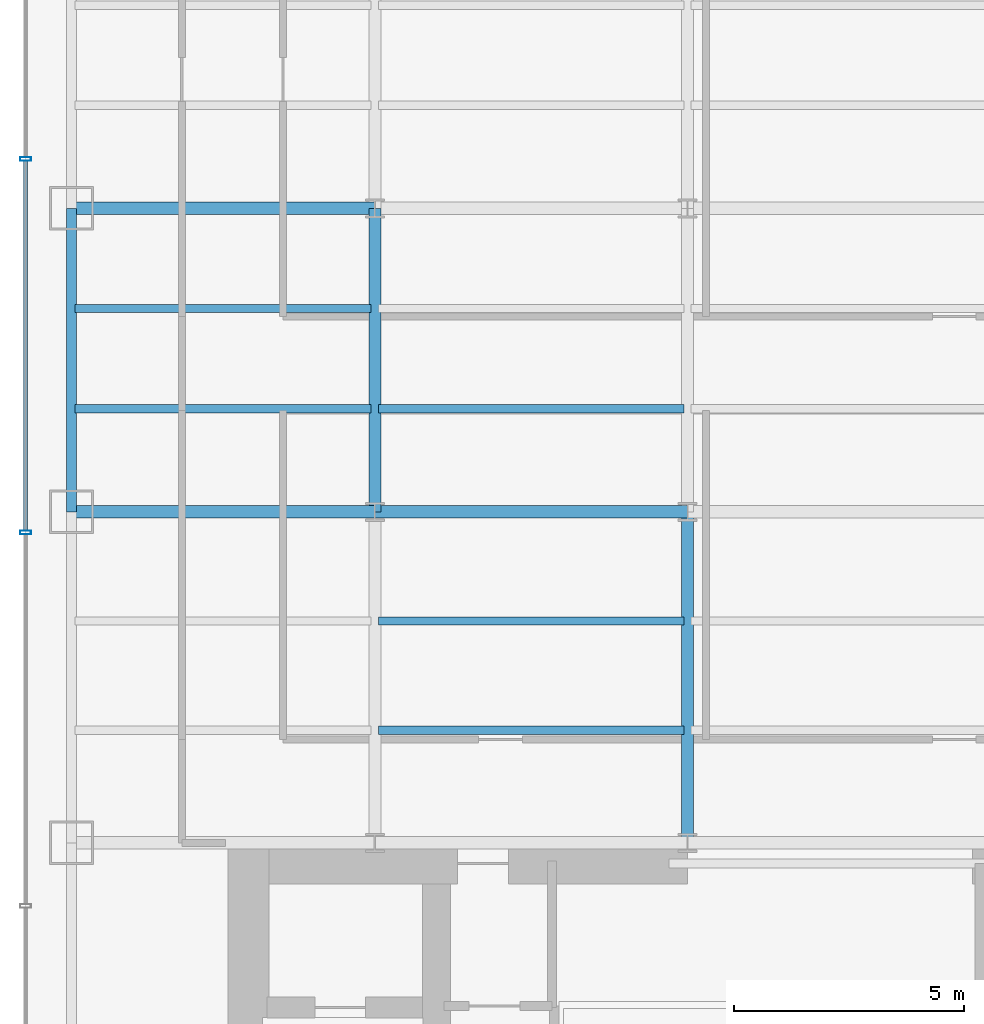
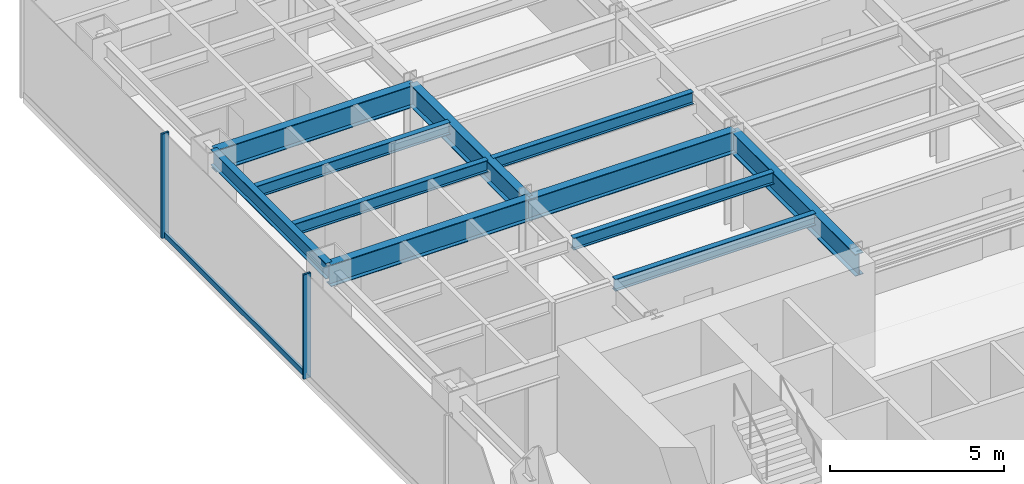
# One storey, part 4 of 22: 11 beams, 3 members, 1 element without a shape of its own.
"""IFC4 building model written with IfcOpenShell, lengths in metres."""

from ifc_helpers import new_model, si_unit, derived_unit, direction, frame, origin, origin_2d, place, context, subcontext, project, spatial, hollow_rectangle, i_section, extrude, source, transform, mapped, material, material_profile, profile_set, type_object, element, aggregate, save


model = new_model("IFC4")

# Units and contexts
model_context = context("Model", 3, precision=1e-05, world=origin(), true_north=direction((0.0, 1.0)))
body_context = subcontext(model_context, "Body", "Model", "MODEL_VIEW")
ifc_project = project(units=[si_unit("LENGTHUNIT", "METRE"), si_unit("AREAUNIT", "SQUARE_METRE"), si_unit("VOLUMEUNIT", "CUBIC_METRE"), si_unit("PLANEANGLEUNIT", "RADIAN"), si_unit("MASSUNIT", "GRAM", prefix="KILO"), derived_unit("THERMALTRANSMITTANCEUNIT", [(si_unit("POWERUNIT", "WATT"), 1), (si_unit("LENGTHUNIT", "METRE"), -2), (si_unit("THERMODYNAMICTEMPERATUREUNIT", "KELVIN"), -1)])], contexts=[model_context])

# Site, building, storey
site_placement = place(None, origin())
site = spatial("IfcSite", under=ifc_project, at=site_placement, CompositionType="ELEMENT")
building_placement = place(site_placement, origin())
building = spatial("IfcBuilding", under=site, at=building_placement, Name="Skarnbrae Concourse Arena and Tower", CompositionType="ELEMENT")
storey_placement = place(building_placement, frame((0.0, 0.0, 32.5)))
storey = spatial("IfcBuildingStorey", under=building, at=storey_placement, Name="L06", CompositionType="ELEMENT", Elevation=32.5)

# Beams
ifc_material_1 = material(Name="Steel CSA G40.21 350W", Category="steel")
ifc_material_profile_1 = material_profile(ifc_material_1, i_section(OverallWidth=0.26806640625, OverallDepth=0.77001953125, WebThickness=0.015625, FlangeThickness=0.025390625, at=origin_2d()), Name="W760X196")
ifc_profile_set_1 = profile_set([ifc_material_profile_1], Name="Steel CSA G40.21 350W")
beam_type_1 = type_object("IfcBeamType", Name="BM-GIRD-W760X196", PredefinedType="BEAM", material=ifc_profile_set_1)
shared_shape_1 = source(origin(), body_context, "Body", "SweptSolid", [
    extrude(i_section(OverallWidth=0.26806640625, OverallDepth=0.77001953125, WebThickness=0.015625, FlangeThickness=0.025390625, at=origin_2d()), origin(), (0.0, 0.0, 1.0), 6.60009765625),
])
for number, where, z_axis, x_axis, name in (
    (1, (1.0, 21.199951171875, 3.014892578125), (1.0, 0.0, 0.0), (0.0, 1.0, 0.0), "L06 Primary E-W girder Y21.2-1"),
    (2, (1.0, 27.800048828125, 3.014892578125), (1.0, 0.0, 0.0), (0.0, 1.0, 0.0), "L06 Primary E-W girder Y27.8-1"),
    (3, (7.60009765625, 21.199951171875, 3.014892578125), (0.0, 1.0, 0.0), (-1.0, 0.0, 0.0), "L06 Primary N-S girder X7.6-2"),
):
    element("IfcBeam", number, at=place(storey_placement, frame(where, z_axis=z_axis, x_axis=x_axis)), inside=storey, type_object=beam_type_1, Name=name, PredefinedType="BEAM", context=body_context, shape_type="MappedRepresentation", body=[
        mapped(shared_shape_1, transform((0.0, 0.0, 0.0))),
    ])
shared_shape_2 = source(origin(), body_context, "Body", "SweptSolid", [
    extrude(i_section(OverallWidth=0.26806640625, OverallDepth=0.77001953125, WebThickness=0.015625, FlangeThickness=0.025390625, at=origin_2d()), origin(), (0.0, 0.0, 1.0), 6.7998046875),
])
beam_1_placement = place(storey_placement, frame((7.60009765625, 21.199951171875, 3.014892578125), z_axis=(1.0, 0.0, 0.0), x_axis=(0.0, 1.0, 0.0)))
element("IfcBeam", 4, at=beam_1_placement, inside=storey, type_object=beam_type_1, Name="L06 Primary E-W girder Y21.2-2", PredefinedType="BEAM", context=body_context, shape_type="MappedRepresentation", body=[
    mapped(shared_shape_2, transform((0.0, 0.0, 0.0))),
])
ifc_material_profile_2 = material_profile(ifc_material_1, i_section(OverallWidth=0.214111328125, OverallDepth=0.549072265625, WebThickness=0.0146484375, FlangeThickness=0.023681640625, at=origin_2d()), Name="W530X138")
ifc_profile_set_2 = profile_set([ifc_material_profile_2], Name="Steel CSA G40.21 350W")
beam_type_2 = type_object("IfcBeamType", Name="BM-SPAN-W530X138", PredefinedType="SPANDREL", material=ifc_profile_set_2)
shared_shape_3 = source(origin(), body_context, "Body", "SweptSolid", [
    extrude(i_section(OverallWidth=0.214111328125, OverallDepth=0.549072265625, WebThickness=0.0146484375, FlangeThickness=0.023681640625, at=origin_2d()), origin(), (0.0, 0.0, 1.0), 6.60009765625),
])
beam_2_placement = place(storey_placement, frame((1.0, 21.199951171875, 3.12548828125), z_axis=(0.0, 1.0, 0.0), x_axis=(-1.0, 0.0, 0.0)))
element("IfcBeam", 5, at=beam_2_placement, inside=storey, type_object=beam_type_2, Name="L06 Perimeter spandrel X1.0-3", PredefinedType="SPANDREL", context=body_context, shape_type="MappedRepresentation", body=[
    mapped(shared_shape_3, transform((0.0, 0.0, 0.0))),
])
shared_shape_4 = source(origin(), body_context, "Body", "SweptSolid", [
    extrude(i_section(OverallWidth=0.26806640625, OverallDepth=0.77001953125, WebThickness=0.015625, FlangeThickness=0.025390625, at=origin_2d()), origin(), (0.0, 0.0, 1.0), 7.199951171875),
])
beam_3_placement = place(storey_placement, frame((14.39990234375, 14.0, 3.014892578125), z_axis=(0.0, 1.0, 0.0), x_axis=(-1.0, 0.0, 0.0)))
element("IfcBeam", 6, at=beam_3_placement, inside=storey, type_object=beam_type_1, Name="L06 Primary N-S girder X14.4-1", PredefinedType="BEAM", context=body_context, shape_type="MappedRepresentation", body=[
    mapped(shared_shape_4, transform((0.0, 0.0, 0.0))),
])
ifc_material_profile_3 = material_profile(ifc_material_1, i_section(OverallWidth=0.180908203125, OverallDepth=0.4169921875, WebThickness=0.010986328125, FlangeThickness=0.018310546875, at=origin_2d()), Name="W410X85")
ifc_profile_set_3 = profile_set([ifc_material_profile_3], Name="Steel CSA G40.21 350W")
beam_type_3 = type_object("IfcBeamType", Name="BM-JOIST-W410X85", PredefinedType="JOIST", material=ifc_profile_set_3)
shared_shape_5 = source(origin(), body_context, "Body", "SweptSolid", [
    extrude(i_section(OverallWidth=0.180908203125, OverallDepth=0.4169921875, WebThickness=0.010986328125, FlangeThickness=0.018310546875, at=origin_2d()), origin(), (0.0, 0.0, 1.0), 6.43994140625),
])
for number, where, z_axis, x_axis, name in (
    (7, (1.080078125, 23.444091796875, 3.19140625), (1.0, 0.0, 0.0), (0.0, 1.0, 0.0), "L06 Secondary floor joist 2.1.1"),
    (8, (1.080078125, 25.6220703125, 3.19140625), (1.0, 0.0, 0.0), (0.0, 1.0, 0.0), "L06 Secondary floor joist 2.2.1"),
):
    element("IfcBeam", number, at=place(storey_placement, frame(where, z_axis=z_axis, x_axis=x_axis)), inside=storey, type_object=beam_type_3, Name=name, PredefinedType="JOIST", context=body_context, shape_type="MappedRepresentation", body=[
        mapped(shared_shape_5, transform((0.0, 0.0, 0.0))),
    ])
shared_shape_6 = source(origin(), body_context, "Body", "SweptSolid", [
    extrude(i_section(OverallWidth=0.180908203125, OverallDepth=0.4169921875, WebThickness=0.010986328125, FlangeThickness=0.018310546875, at=origin_2d()), origin(), (0.0, 0.0, 1.0), 6.64013671875),
])
for number, where, z_axis, x_axis, name in (
    (9, (7.679931640625, 16.447998046875, 3.19140625), (1.0, 0.0, 0.0), (0.0, 1.0, 0.0), "L06 Secondary floor joist 1.1.2"),
    (10, (7.679931640625, 18.823974609375, 3.19140625), (1.0, 0.0, 0.0), (0.0, 1.0, 0.0), "L06 Secondary floor joist 1.2.2"),
    (11, (7.679931640625, 23.444091796875, 3.19140625), (1.0, 0.0, 0.0), (0.0, 1.0, 0.0), "L06 Secondary floor joist 2.1.2"),
):
    element("IfcBeam", number, at=place(storey_placement, frame(where, z_axis=z_axis, x_axis=x_axis)), inside=storey, type_object=beam_type_3, Name=name, PredefinedType="JOIST", context=body_context, shape_type="MappedRepresentation", body=[
        mapped(shared_shape_6, transform((0.0, 0.0, 0.0))),
    ])

# Curtain wall, members
ifc_material_2 = material(Name="Bronze anodised aluminium 6063-T6", Category="aluminium")
curtain_wall_type = type_object("IfcCurtainWallType", Name="CW-SYS-02-LOWZONE", PredefinedType="USERDEFINED", material=ifc_material_2)
curtain_wall_placement = place(storey_placement, origin())
curtain_wall = element("IfcCurtainWall", 12, at=curtain_wall_placement, inside=storey, type_object=curtain_wall_type, Name="L06 Unitised curtain wall CW-L06-E19", ObjectType="UNITISED CURTAIN WALL", PredefinedType="USERDEFINED")
ifc_material_profile_4 = material_profile(ifc_material_2, hollow_rectangle(XDim=0.080078125, YDim=0.239990234375, WallThickness=0.0048828125, at=origin_2d()), Name="ALU-MULL-80X240")
ifc_profile_set_4 = profile_set([ifc_material_profile_4], Name="Bronze anodised aluminium 6063-T6")
member_type_1 = type_object("IfcMemberType", Name="CWM-CW-02", PredefinedType="MULLION", material=ifc_profile_set_4)
shared_shape_7 = source(origin(), body_context, "Body", "SweptSolid", [
    extrude(hollow_rectangle(XDim=0.080078125, YDim=0.239990234375, WallThickness=0.0048828125, at=origin_2d()), origin(), (0.0, 0.0, 1.0), 3.64990234375),
])
member_1_placement = place(storey_placement, frame((0.0, 28.875, 0.0), z_axis=(0.0, 0.0, 1.0), x_axis=(0.0, -1.0, 0.0)))
member_1 = element("IfcMember", 13, at=member_1_placement, type_object=member_type_1, Name="CW-L06-E19 Mullion 2", PredefinedType="MULLION", context=body_context, shape_type="MappedRepresentation", body=[
    mapped(shared_shape_7, transform((0.0, 0.0, 0.0))),
])
member_2_placement = place(storey_placement, frame((0.0, 20.75, 0.0), z_axis=(0.0, 0.0, 1.0), x_axis=(0.0, -1.0, 0.0)))
member_2 = element("IfcMember", 14, at=member_2_placement, type_object=member_type_1, Name="CW-L06-E19 Mullion 3", PredefinedType="MULLION", context=body_context, shape_type="MappedRepresentation", body=[
    mapped(shared_shape_7, transform((0.0, 0.0, 0.0))),
])
ifc_material_profile_5 = material_profile(ifc_material_2, hollow_rectangle(XDim=0.080078125, YDim=0.18994140625, WallThickness=0.0048828125, at=origin_2d()), Name="ALU-TRAN-80X190")
ifc_profile_set_5 = profile_set([ifc_material_profile_5], Name="Bronze anodised aluminium 6063-T6")
member_type_2 = type_object("IfcMemberType", Name="CWT-CW-02", PredefinedType="USERDEFINED", material=ifc_profile_set_5)
shared_shape_8 = source(origin(), body_context, "Body", "SweptSolid", [
    extrude(hollow_rectangle(XDim=0.080078125, YDim=0.18994140625, WallThickness=0.0048828125, at=origin_2d()), origin(), (0.0, 0.0, 1.0), 8.044921875),
])
member_3_placement = place(storey_placement, frame((0.0, 28.8349609375, 0.094970703125), z_axis=(0.0, -1.0, 0.0), x_axis=(1.0, 0.0, 0.0)))
member_3 = element("IfcMember", 15, at=member_3_placement, type_object=member_type_2, Name="CW-L06-E19 Transom 2", ObjectType="TRANSOM", PredefinedType="USERDEFINED", context=body_context, shape_type="MappedRepresentation", body=[
    mapped(shared_shape_8, transform((0.0, 0.0, 0.0))),
])
aggregate(curtain_wall, [member_1, member_2, member_3])

save(model, "model.ifc")
